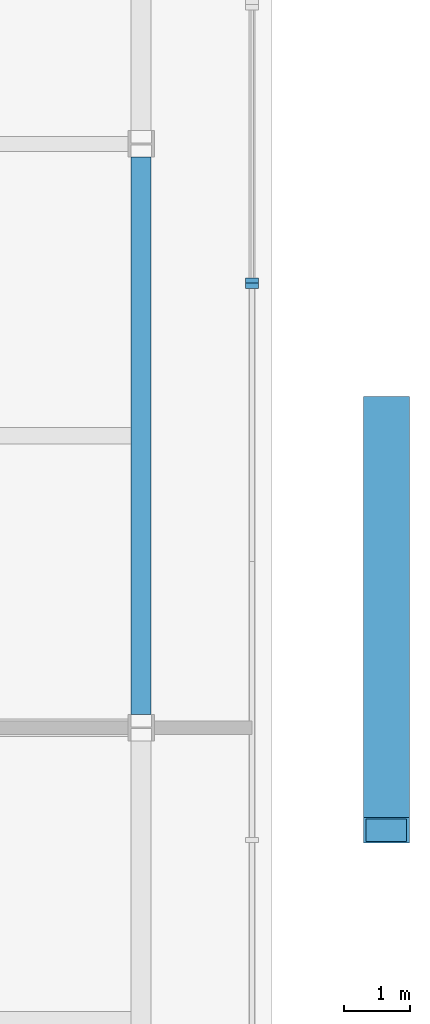
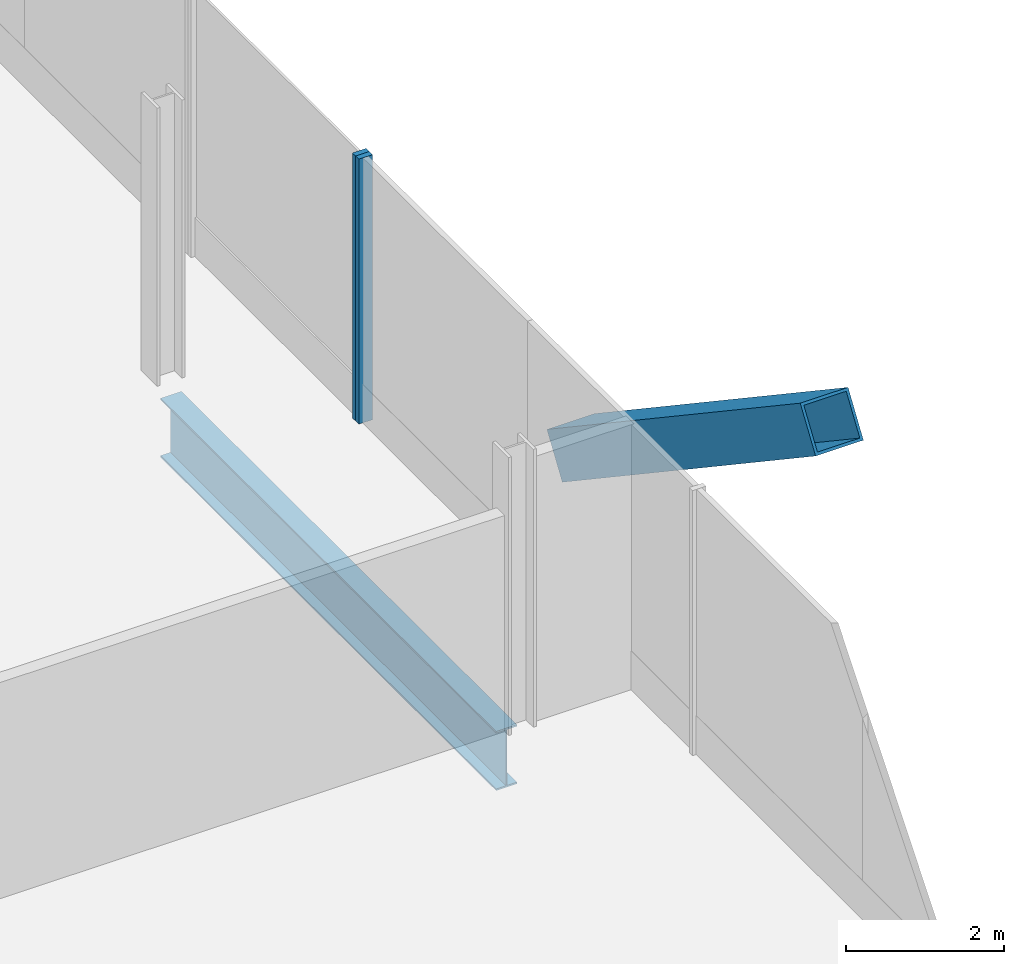
# One storey, part 5 of 16: 3 members, 1 beam, 2 elements without a shape of their own.
"""IFC4 building model written with IfcOpenShell, lengths in metres."""

import ifcopenshell
import ifcopenshell.guid

model = None  # the IFC model being written
_history = None  # IfcOwnerHistory: only IFC2X3 demands one
_inside = {}  # id of a spatial element -> (the spatial element, [elements in it])
_under = {}  # id of a project, library or spatial element -> (it, [spatial elements below it])
_declared = {}  # id of a project -> (the project, [libraries it declares])
_typed = {}  # id of a type object -> (the type object, [elements of that type])
_made_of = {}  # id of a material, layer set ... -> (it, [elements and type objects made of it])


def new_model(schema):
    """Start an empty IFC model of exactly this schema.

    Asked for "IFC4X3", IfcOpenShell would pick the latest addendum, in which some entities
    have other attributes; the version numbers below select the first issue.
    IFC2X3 requires an IfcOwnerHistory on every rooted entity: one is made here for all.
    """
    global model, _history
    if schema == "IFC4X3":
        model = ifcopenshell.file(schema_version=(4, 3, 0, 0))
    else:
        model = ifcopenshell.file(schema=schema)
    _inside.clear()
    _under.clear()
    _declared.clear()
    _typed.clear()
    _made_of.clear()
    _history = None
    if model.schema == "IFC2X3":
        org = make("IfcOrganization", Name="unknown")
        user = make(
            "IfcPersonAndOrganization",
            ThePerson=make("IfcPerson", FamilyName="unknown"),
            TheOrganization=org,
        )
        app = make(
            "IfcApplication",
            ApplicationDeveloper=org,
            Version="unknown",
            ApplicationFullName="unknown",
            ApplicationIdentifier="unknown",
        )
        _history = make(
            "IfcOwnerHistory",
            OwningUser=user,
            OwningApplication=app,
            ChangeAction="ADDED",
            CreationDate=0,
        )
    return model


def make(cls, **values):
    """One entity of the class cls with the attributes given. An attribute that is None is left unset."""
    return model.create_entity(
        cls, **{name: value for name, value in values.items() if value is not None}
    )


def rooted(cls, **values):
    """An entity with a GlobalId (a new one), such as an element, a storey or a relation."""
    return make(cls, GlobalId=ifcopenshell.guid.new(), OwnerHistory=_history, **values)


def si_unit(unit_type, name, prefix=None):
    """IfcSIUnit, for example si_unit("LENGTHUNIT", "METRE", prefix="MILLI")."""
    return make("IfcSIUnit", UnitType=unit_type, Prefix=prefix, Name=name)


def assignment(units):
    """IfcUnitAssignment: the units of a project."""
    return None if units is None else make("IfcUnitAssignment", Units=units)


def point(xyz):
    """IfcCartesianPoint."""
    return None if xyz is None else make("IfcCartesianPoint", Coordinates=xyz)


def direction(xyz):
    """IfcDirection."""
    return None if xyz is None else make("IfcDirection", DirectionRatios=xyz)


def frame(location, z_axis=None, x_axis=None):
    """IfcAxis2Placement3D, a coordinate frame: its origin and axes. An axis left out is left unset."""
    return make(
        "IfcAxis2Placement3D",
        Location=point(location),
        Axis=direction(z_axis),
        RefDirection=direction(x_axis),
    )


def frame_2d(location, x_axis=None):
    """IfcAxis2Placement2D, a coordinate frame in the plane: its origin and x axis."""
    return make(
        "IfcAxis2Placement2D", Location=point(location), RefDirection=direction(x_axis)
    )


def origin():
    """The frame at (0, 0, 0) with its axes left unset."""
    return frame((0.0, 0.0, 0.0))


def origin_2d():
    """The frame at (0, 0) in the plane with its x axis left unset."""
    return frame_2d((0.0, 0.0))


def place(relative_to, where):
    """IfcLocalPlacement: puts the frame where relative to a parent placement (None: the world)."""
    return make(
        "IfcLocalPlacement", PlacementRelTo=relative_to, RelativePlacement=where
    )


def context(
    kind, dimensions, precision=None, world=None, true_north=None, identifier=None
):
    """IfcGeometricRepresentationContext, for example the 3D "Model" context."""
    return make(
        "IfcGeometricRepresentationContext",
        ContextIdentifier=identifier,
        ContextType=kind,
        CoordinateSpaceDimension=dimensions,
        Precision=precision,
        WorldCoordinateSystem=world,
        TrueNorth=true_north,
    )


def subcontext(parent, identifier, kind, view, scale=None):
    """IfcGeometricRepresentationSubContext, for example "Body" below "Model"."""
    return make(
        "IfcGeometricRepresentationSubContext",
        ContextIdentifier=identifier,
        ContextType=kind,
        ParentContext=parent,
        TargetScale=scale,
        TargetView=view,
    )


def project(units=None, contexts=None):
    """IfcProject with its units and contexts."""
    return rooted(
        "IfcProject",
        Name="project",
        RepresentationContexts=contexts,
        UnitsInContext=assignment(units),
    )


def spatial(cls, under=None, at=None, **own):
    """A site, building, storey or space (cls), placed at a placement, below another one or the project."""
    s = rooted(cls, ObjectPlacement=at, **own)
    if under is not None:
        _under.setdefault(under.id(), (under, []))[1].append(s)
    return s


def profile(cls, at=None, kind="AREA", **sizes):
    """A parametric profile (cls). Its sizes go by their IFC names, for example OverallWidth=200.0."""
    return make(cls, ProfileType=kind, Position=at, **sizes)


def rectangle(**sizes):
    """IfcRectangleProfileDef."""
    return profile("IfcRectangleProfileDef", **sizes)


def hollow_rectangle(**sizes):
    """IfcRectangleHollowProfileDef."""
    return profile("IfcRectangleHollowProfileDef", **sizes)


def i_section(**sizes):
    """IfcIShapeProfileDef."""
    return profile("IfcIShapeProfileDef", **sizes)


def extrude(swept, where, along, depth):
    """IfcExtrudedAreaSolid: the profile swept, set in the frame where, extruded along a direction by depth."""
    return make(
        "IfcExtrudedAreaSolid",
        SweptArea=swept,
        Position=where,
        ExtrudedDirection=direction(along),
        Depth=depth,
    )


def shape(context_of_items, identifier, shape_type, items):
    """IfcShapeRepresentation: the items that make up one representation, for example the "Body"."""
    return make(
        "IfcShapeRepresentation",
        ContextOfItems=context_of_items,
        RepresentationIdentifier=identifier,
        RepresentationType=shape_type,
        Items=items,
    )


def source(mapping_origin, context_of_items, identifier, shape_type, items):
    """IfcRepresentationMap: a shape defined once, which mapped items show again and again."""
    return make(
        "IfcRepresentationMap",
        MappingOrigin=mapping_origin,
        MappedRepresentation=shape(context_of_items, identifier, shape_type, items),
    )


def transform(
    local_origin,
    x_axis=None,
    y_axis=None,
    z_axis=None,
    scale=None,
    scale2=None,
    scale3=None,
    uniform=True,
):
    """IfcCartesianTransformationOperator3D, or its non-uniform kind. x_axis, y_axis, z_axis: its Axis1, 2, 3."""
    if uniform:
        return make(
            "IfcCartesianTransformationOperator3D",
            Axis1=direction(x_axis),
            Axis2=direction(y_axis),
            LocalOrigin=point(local_origin),
            Scale=scale,
            Axis3=direction(z_axis),
        )
    return make(
        "IfcCartesianTransformationOperator3DnonUniform",
        Axis1=direction(x_axis),
        Axis2=direction(y_axis),
        LocalOrigin=point(local_origin),
        Scale=scale,
        Axis3=direction(z_axis),
        Scale2=scale2,
        Scale3=scale3,
    )


def mapped(mapping_source, mapping_target):
    """IfcMappedItem: shows the shape of a source again, moved by a transform."""
    return make(
        "IfcMappedItem", MappingSource=mapping_source, MappingTarget=mapping_target
    )


def material(Name=None, Category=None):
    """IfcMaterial."""
    return make("IfcMaterial", Name=Name, Category=Category)


def material_profile(
    of_material, cross_section, Name=None, Category=None, Priority=None
):
    """IfcMaterialProfile: a cross section and its material."""
    return make(
        "IfcMaterialProfile",
        Name=Name,
        Material=of_material,
        Profile=cross_section,
        Priority=Priority,
        Category=Category,
    )


def profile_set(profiles, Name=None, composite=None):
    """IfcMaterialProfileSet."""
    return make(
        "IfcMaterialProfileSet",
        Name=Name,
        MaterialProfiles=profiles,
        CompositeProfile=composite,
    )


def made_of(thing, what):
    """Note that an element or type object is made of a material, layer set ...; save() writes the relation."""
    if what is not None:
        _made_of.setdefault(what.id(), (what, []))[1].append(thing)
    return thing


def type_object(cls, material=None, **own):
    """A type object (cls), such as IfcWallType, which elements share."""
    return made_of(rooted(cls, **own), material)


def element(
    cls,
    number,
    at=None,
    inside=None,
    cuts=None,
    type_object=None,
    material=None,
    context=None,
    identifier="Body",
    shape_type=None,
    held_by="IfcProductDefinitionShape",
    body=None,
    shapes=None,
    **own,
):
    """One element of the class cls, such as IfcWall. Its Tag is "e" and its number.

    at: its placement. inside: the storey or other place that contains it. cuts: it is an
    opening in that element (IfcRelVoidsElement). A single representation is given by context,
    identifier, shape_type and body (its items); several are given by shapes. held_by: the class
    of the entity that holds the representations. save() writes the other relations.
    """
    e = rooted(cls, Tag="e%d" % number, ObjectPlacement=at, **own)
    if body is not None:
        shapes = [shape(context, identifier, shape_type, body)]
    if shapes is not None:
        e.Representation = make(held_by, Representations=shapes)
    if inside is not None:
        _inside.setdefault(inside.id(), (inside, []))[1].append(e)
    if cuts is not None:
        rooted(
            "IfcRelVoidsElement", RelatingBuildingElement=cuts, RelatedOpeningElement=e
        )
    if type_object is not None:
        _typed.setdefault(type_object.id(), (type_object, []))[1].append(e)
    return made_of(e, material)


def aggregate(whole, parts):
    """IfcRelAggregates: a whole, such as a stair, and the parts it consists of."""
    return rooted("IfcRelAggregates", RelatingObject=whole, RelatedObjects=parts)


def save(model, path):
    """Write the relations noted so far, then the file.

    IfcRelAggregates (storeys below a building ...), IfcRelContainedInSpatialStructure (elements
    in a storey), IfcRelDefinesByType, IfcRelAssociatesMaterial and IfcRelDeclares: one each for
    every whole, place, type object, material and project.
    """
    for whole, parts in _under.values():
        aggregate(whole, parts)
    for where, things in _inside.values():
        rooted(
            "IfcRelContainedInSpatialStructure",
            RelatedElements=things,
            RelatingStructure=where,
        )
    for kind, things in _typed.values():
        rooted("IfcRelDefinesByType", RelatedObjects=things, RelatingType=kind)
    for what, things in _made_of.values():
        rooted("IfcRelAssociatesMaterial", RelatedObjects=things, RelatingMaterial=what)
    for by, libraries in _declared.values():
        rooted("IfcRelDeclares", RelatingContext=by, RelatedDefinitions=libraries)
    model.write(path)


model = new_model("IFC4")

# Units and contexts
model_context = context("Model", 3, precision=1e-05, world=origin(), true_north=direction((0.0, 1.0)))
body_context = subcontext(model_context, "Body", "Model", "MODEL_VIEW")
ifc_project = project(units=[si_unit("LENGTHUNIT", "METRE"), si_unit("AREAUNIT", "SQUARE_METRE"), si_unit("VOLUMEUNIT", "CUBIC_METRE"), si_unit("PLANEANGLEUNIT", "RADIAN"), si_unit("MASSUNIT", "GRAM", prefix="KILO")], contexts=[model_context])

# Site, building, storey
site_placement = place(None, origin())
site = spatial("IfcSite", under=ifc_project, at=site_placement, CompositionType="ELEMENT")
building_placement = place(site_placement, origin())
building = spatial("IfcBuilding", under=site, at=building_placement, Name="Triune Harvest Tower", CompositionType="ELEMENT")
storey_placement = place(building_placement, frame((0.0, 0.0, 37.5)))
storey = spatial("IfcBuildingStorey", under=building, at=storey_placement, Name="L08", CompositionType="ELEMENT", Elevation=37.5)

# Beam
ifc_material_1 = material(Name="Steel ASTM A992 Gr 50", Category="steel")
ifc_material_profile_1 = material_profile(ifc_material_1, i_section(OverallWidth=0.3046875, OverallDepth=0.914306640625, WebThickness=0.0166015625, FlangeThickness=0.02587890625, at=origin_2d()), Name="W36x160")
ifc_profile_set_1 = profile_set([ifc_material_profile_1], Name="Steel ASTM A992 Gr 50")
beam_type = type_object("IfcBeamType", Name="SB-1 Spandrel beam W36x160", PredefinedType="SPANDREL", material=ifc_profile_set_1)
shared_shape_1 = source(origin(), body_context, "Body", "SweptSolid", [
    extrude(i_section(OverallWidth=0.3046875, OverallDepth=0.914306640625, WebThickness=0.0166015625, FlangeThickness=0.02587890625, at=origin_2d()), origin(), (0.0, 0.0, 1.0), 8.506103515625),
])
beam_placement = place(storey_placement, frame((21.679443359375, -8.7080078125, -0.6572265625), z_axis=(0.0, 1.0, 0.0), x_axis=(-1.0, 0.0, 0.0)))
element("IfcBeam", 1, at=beam_placement, inside=storey, type_object=beam_type, Name="beam/L08/SB3", PredefinedType="SPANDREL", context=body_context, shape_type="MappedRepresentation", body=[
    mapped(shared_shape_1, transform((0.0, 0.0, 0.0), scale=1.0)),
])

# Member
ifc_material_2 = material(Name="Steel ASTM A572 Gr 50", Category="steel")
ifc_material_profile_2 = material_profile(ifc_material_2, hollow_rectangle(XDim=0.699951171875, YDim=0.699951171875, WallThickness=0.0400390625, at=origin_2d()), Name="Box 700x700x40")
ifc_profile_set_2 = profile_set([ifc_material_profile_2], Name="Steel ASTM A572 Gr 50")
member_type_1 = type_object("IfcMemberType", Name="BR-1 Brace Box 700x700x40", PredefinedType="BRACE", material=ifc_profile_set_2)
shared_shape_2 = source(origin(), body_context, "Body", "SweptSolid", [
    extrude(hollow_rectangle(XDim=0.699951171875, YDim=0.699951171875, WallThickness=0.0400390625, at=origin_2d()), origin(), (0.0, 0.0, 1.0), 7.728515625),
])
member_1_placement = place(storey_placement, frame((25.42138671875, -4.050048828125, 0.0), z_axis=(0.0, -0.830925953807, 0.556383014918), x_axis=(1.0, 0.0, 0.0)))
element("IfcMember", 2, at=member_1_placement, inside=storey, type_object=member_type_1, Name="brace/B1-F1/d2/6", PredefinedType="BRACE", context=body_context, shape_type="MappedRepresentation", body=[
    mapped(shared_shape_2, transform((0.0, 0.0, 0.0), scale=1.0)),
])

# Curtain wall, member
ifc_material_3 = material(Name="Aluminium bronze anodised", Category="aluminium")
curtain_wall_type_1 = type_object("IfcCurtainWallType", Name="CW-8 Farm floor curtain wall with insulated spandrel infill", PredefinedType="NOTDEFINED", material=ifc_material_3)
curtain_wall_1_placement = place(storey_placement, origin())
curtain_wall_1 = element("IfcCurtainWall", 3, at=curtain_wall_1_placement, inside=storey, type_object=curtain_wall_type_1, Name="CW-8 B1-F1 L08 run 1001")
ifc_material_4 = material(Name="Aluminium bronze anodised", Category="aluminium")
ifc_material_profile_3 = material_profile(ifc_material_4, rectangle(XDim=0.199951171875, YDim=0.080078125, at=origin_2d()), Name="MU-3 mullion 80 x 200")
ifc_profile_set_3 = profile_set([ifc_material_profile_3], Name="Aluminium bronze anodised")
member_type_2 = type_object("IfcMemberType", Name="MU-3 mullion 80 x 200", PredefinedType="MULLION", material=ifc_profile_set_3)
shared_shape_3 = source(origin(), body_context, "Body", "SweptSolid", [
    extrude(rectangle(XDim=0.199951171875, YDim=0.080078125, at=origin_2d()), origin(), (0.0, 0.0, 1.0), 4.10009765625),
])
member_2_placement = place(storey_placement, frame((23.371337890625, -2.164306640625, 0.0), z_axis=(0.0, 0.0, 1.0), x_axis=(-1.0, 0.0, 0.0)))
member_2 = element("IfcMember", 4, at=member_2_placement, type_object=member_type_2, Name="CW-8 mullion B1-F1 1001.5", PredefinedType="MULLION", context=body_context, shape_type="MappedRepresentation", body=[
    mapped(shared_shape_3, transform((0.0, 0.0, 0.0), scale=1.0)),
])
aggregate(curtain_wall_1, [member_2])

ifc_material_5 = material(Name="Aluminium bronze anodised", Category="aluminium")
curtain_wall_type_2 = type_object("IfcCurtainWallType", Name="CW-3 Farm floor curtain wall", PredefinedType="NOTDEFINED", material=ifc_material_5)
curtain_wall_2_placement = place(storey_placement, origin())
curtain_wall_2 = element("IfcCurtainWall", 5, at=curtain_wall_2_placement, inside=storey, type_object=curtain_wall_type_2, Name="CW-3 B1-F1 L08 run 2001")
member_3_placement = place(storey_placement, frame((23.371337890625, -2.08447265625, 0.0), z_axis=(0.0, 0.0, 1.0), x_axis=(-1.0, 0.0, 0.0)))
member_3 = element("IfcMember", 6, at=member_3_placement, type_object=member_type_2, Name="CW-3 mullion B1-F1 2001.1", PredefinedType="MULLION", context=body_context, shape_type="MappedRepresentation", body=[
    mapped(shared_shape_3, transform((0.0, 0.0, 0.0), scale=1.0)),
])
aggregate(curtain_wall_2, [member_3])

save(model, "model.ifc")
